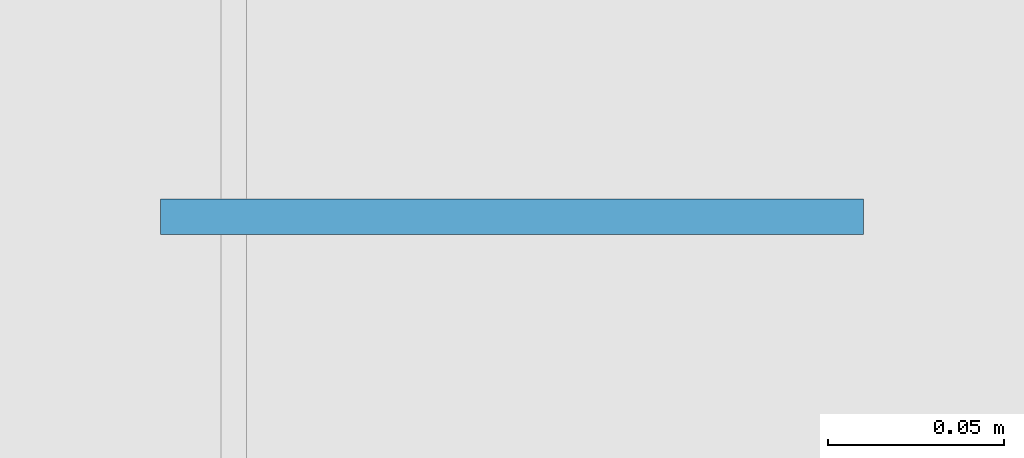
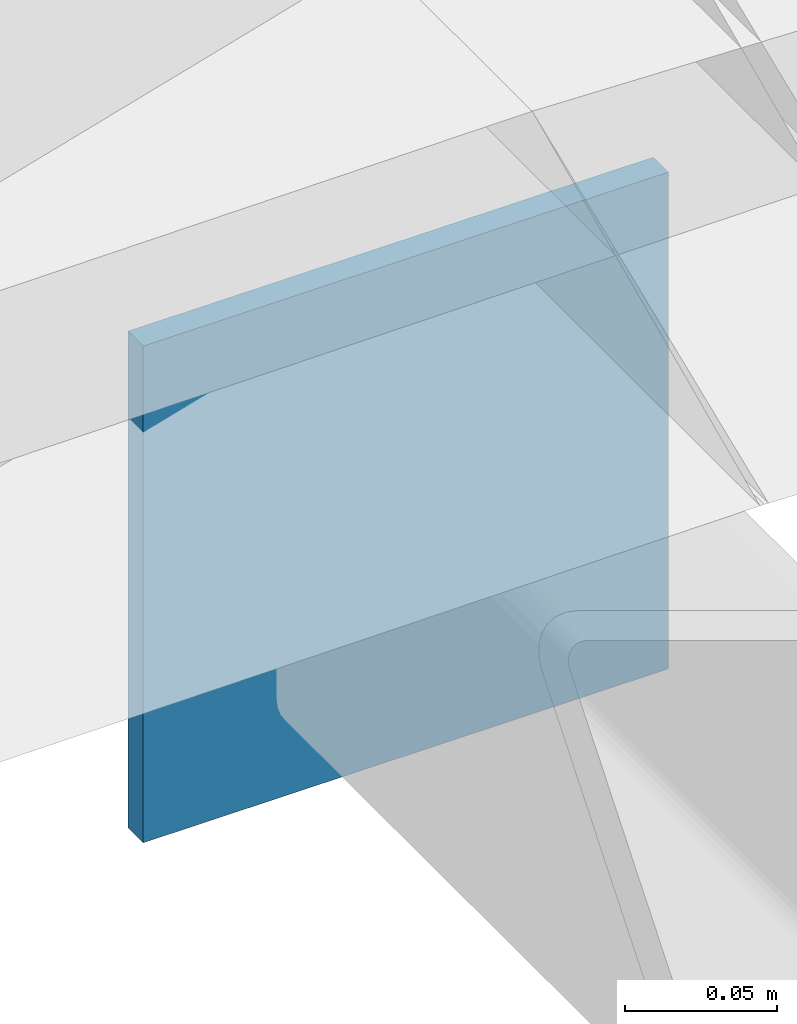
# One storey, part 51 of 56: 1 plate.
"""IFC4 building model written with IfcOpenShell, lengths in metres."""

from ifc_helpers import new_model, si_unit, direction, frame, origin, origin_2d, place, context, subcontext, project, spatial, rectangle, extrude, material, layer, layer_set, type_object, element, save


model = new_model("IFC4")

# Units and contexts
model_context = context("Model", 3, precision=1e-05, world=origin(), true_north=direction((0.0, 1.0)))
body_context = subcontext(model_context, "Body", "Model", "MODEL_VIEW")
ifc_project = project(units=[si_unit("LENGTHUNIT", "METRE"), si_unit("AREAUNIT", "SQUARE_METRE"), si_unit("VOLUMEUNIT", "CUBIC_METRE"), si_unit("PLANEANGLEUNIT", "RADIAN"), si_unit("MASSUNIT", "GRAM", prefix="KILO")], contexts=[model_context])

# Site, building, storey
site_placement = place(None, origin())
site = spatial("IfcSite", under=ifc_project, at=site_placement, CompositionType="ELEMENT")
building_placement = place(site_placement, origin())
building = spatial("IfcBuilding", under=site, at=building_placement, Name="Zacnel Wholesale Market", CompositionType="ELEMENT")
storey_placement = place(building_placement, frame((0.0, 0.0, 20.300048828125)))
storey = spatial("IfcBuildingStorey", under=building, at=storey_placement, Name="RF", CompositionType="ELEMENT", Elevation=20.300048828125)

# Plate
ifc_material = material(Name="Steel S355", Category="steel")
ifc_layer = layer(ifc_material, 0.010009765625)
ifc_layer_set = layer_set([ifc_layer], Name="Steel S355")
plate_type = type_object("IfcPlateType", Name="PLT-CAP-200X10", PredefinedType="SHEET", material=ifc_layer_set)
plate_placement = place(storey_placement, frame((153.22509765625, 95.68505859375, -6.3701171875), z_axis=(0.0, 0.0, 1.0), x_axis=(1.0, 0.0, 0.0)))
element("IfcPlate", 1, at=plate_placement, inside=storey, type_object=plate_type, Name="Tie purlin end cap plate 0040-B", PredefinedType="SHEET", context=body_context, shape_type="SweptSolid", body=[
    extrude(rectangle(XDim=0.199951171875, YDim=0.010009765625, at=origin_2d()), origin(), (0.0, 0.0, 1.0), 0.199951171875),
])

save(model, "model.ifc")
